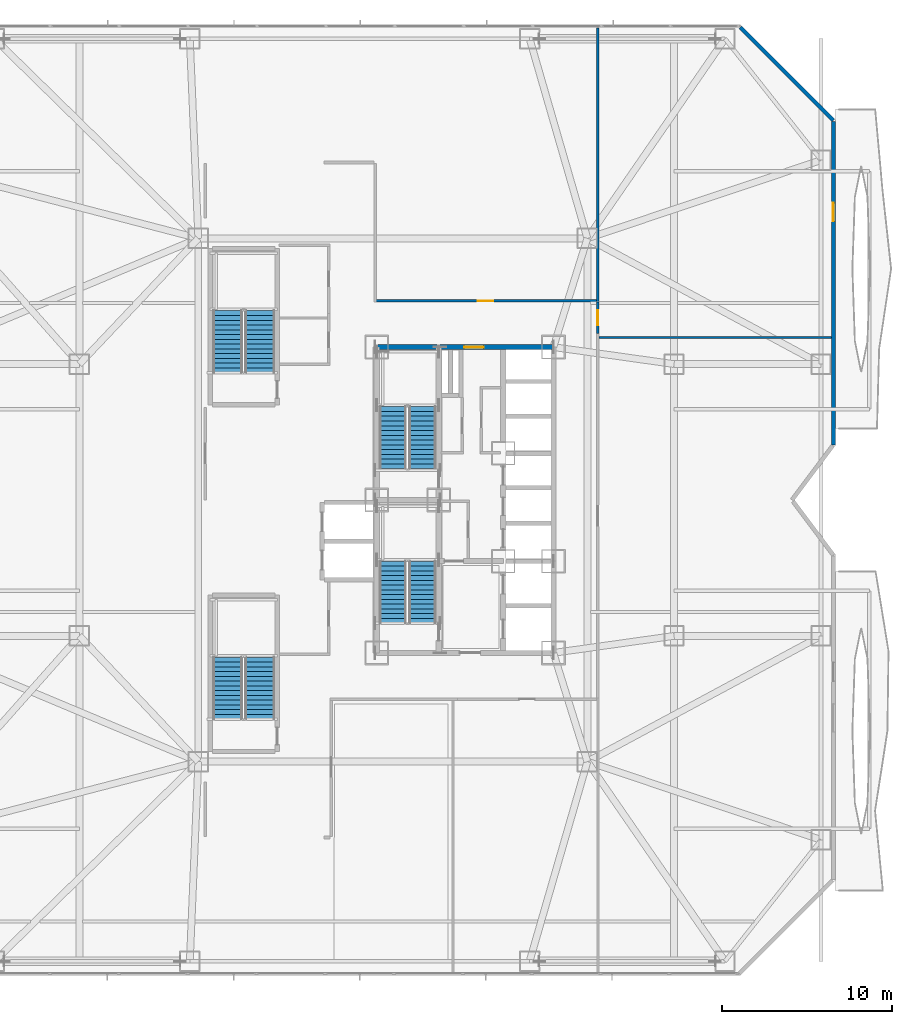
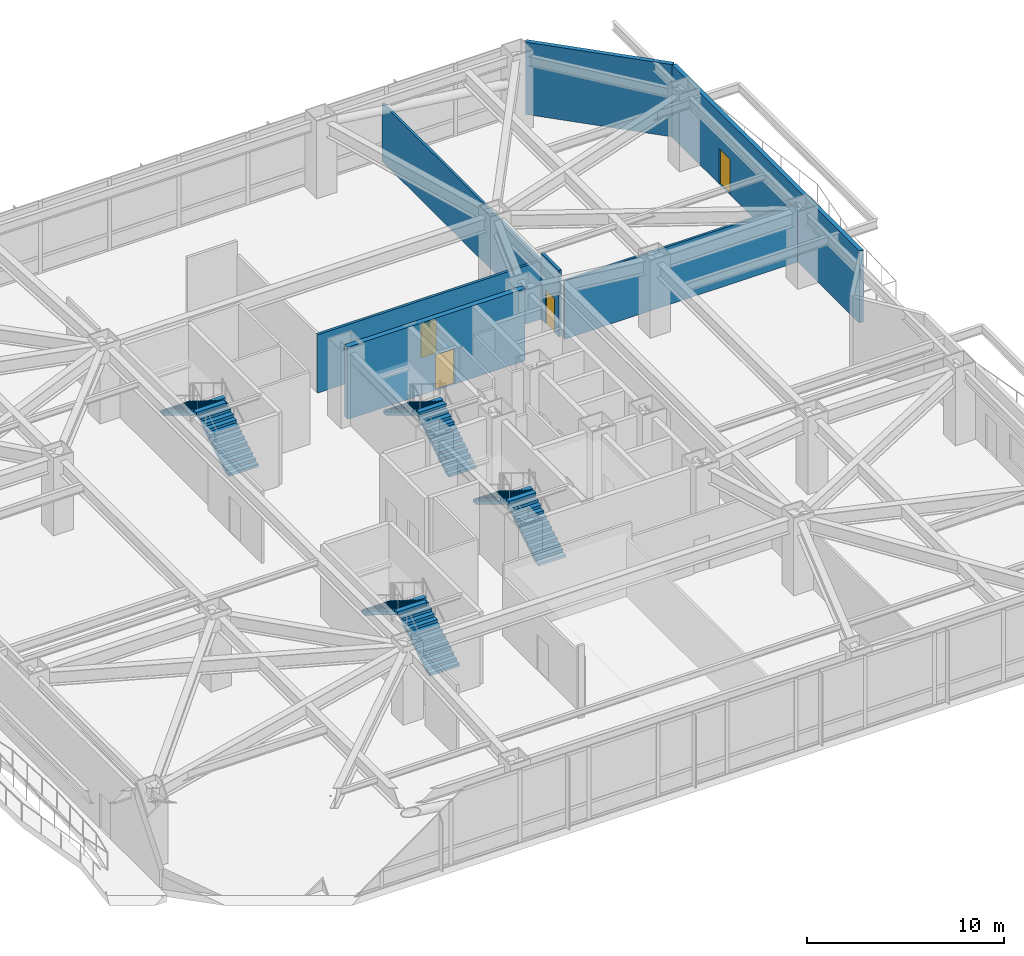
# One storey, part 25 of 33: 8 stair flights, 7 walls, 4 doors, 4 openings, 4 elements without a shape of their own.
"""IFC4 building model written with IfcOpenShell, lengths in metres."""

from ifc_helpers import new_model, si_unit, direction, frame, frame_2d, origin, place, context, subcontext, project, spatial, polyline, rectangle, outline, extrude, material, layer, layer_set, type_object, element, fill, aggregate, save


model = new_model("IFC4")

# Units and contexts
model_context = context("Model", 3, precision=1e-05, world=origin(), true_north=direction((0.0, 1.0)))
body_context = subcontext(model_context, "Body", "Model", "MODEL_VIEW")
ifc_project = project(units=[si_unit("LENGTHUNIT", "METRE"), si_unit("AREAUNIT", "SQUARE_METRE"), si_unit("VOLUMEUNIT", "CUBIC_METRE"), si_unit("PLANEANGLEUNIT", "RADIAN"), si_unit("MASSUNIT", "GRAM", prefix="KILO")], contexts=[model_context])

# Site, building, storey
site_placement = place(None, origin())
site = spatial("IfcSite", under=ifc_project, at=site_placement, CompositionType="ELEMENT")
building_placement = place(site_placement, origin())
building = spatial("IfcBuilding", under=site, at=building_placement, Name="Khamvora Tower", CompositionType="ELEMENT")
storey_placement = place(building_placement, frame((0.0, 0.0, 7.199951171875)))
storey = spatial("IfcBuildingStorey", under=building, at=storey_placement, Name="L01", CompositionType="ELEMENT", Elevation=7.199951171875)

# Wall, opening, door
ifc_material_1 = material(Name="Concrete C50/60", Category="concrete")
ifc_layer_1 = layer(ifc_material_1, 0.300048828125)
ifc_layer_set_1 = layer_set([ifc_layer_1], Name="Concrete C50/60")
wall_type_1 = type_object("IfcWallType", Name="WAL-CORE-300", PredefinedType="SHEAR", material=ifc_layer_set_1)
wall_1_placement = place(storey_placement, frame((29.0, 37.0, 0.0), z_axis=(0.0, 0.0, 1.0), x_axis=(1.0, 0.0, 0.0)))
wall_1 = element("IfcWall", 1, at=wall_1_placement, inside=storey, type_object=wall_type_1, Name="L01 central core north wall", PredefinedType="SHEAR", context=body_context, shape_type="SweptSolid", body=[
    extrude(rectangle(XDim=10.39990234375, YDim=0.300048828125, at=frame_2d((5.199951171875, 0.0))), origin(), (0.0, 0.0, 1.0), 4.47998046875),
])
opening_1_placement = place(wall_1_placement, frame((5.139892578125, 0.0, 0.0)))
opening_1 = element("IfcOpeningElement", 2, at=opening_1_placement, cuts=wall_1, Name="Opening D-SC1", PredefinedType="OPENING", context=body_context, shape_type="SweptSolid", body=[
    extrude(rectangle(XDim=1.14990234375, YDim=2.199951171875, at=frame_2d((0.574951171875, 1.10009765625))), frame((0.0, 0.159912109375, 0.0), z_axis=(0.0, -1.0, 0.0), x_axis=(1.0, 0.0, 0.0)), (0.0, 0.0, 1.0), 0.320068359375),
])
ifc_material_2 = material(Name="Powder-Coated Steel and Hardwood Leaf", Category="steel")
door_type_1 = type_object("IfcDoorType", Name="DOR-SCHL-1150", OperationType="NOTDEFINED", PredefinedType="DOOR", material=ifc_material_2)
door_1_placement = place(opening_1_placement, origin())
door_1 = element("IfcDoor", 3, at=door_1_placement, inside=storey, type_object=door_type_1, Name="L01 north core lobby to corridor fire door", OperationType="SINGLE_SWING_RIGHT", OverallHeight=2.199951171875, OverallWidth=1.14990234375, PredefinedType="DOOR", context=body_context, shape_type="SweptSolid", body=[
    extrude(rectangle(XDim=1.14990234375, YDim=2.199951171875, at=frame_2d((0.574951171875, 1.10009765625))), frame((0.0, 0.02490234375, 0.0), z_axis=(0.0, -1.0, 0.0), x_axis=(1.0, 0.0, 0.0)), (0.0, 0.0, 1.0), 0.050048828125),
])
fill(opening_1, door_1)

ifc_material_3 = material(Name="Fire-Rated Drywall and Steel Stud", Category="steel")
ifc_layer_2 = layer(ifc_material_3, 0.14990234375)
ifc_layer_set_2 = layer_set([ifc_layer_2], Name="Fire-Rated Drywall and Steel Stud")
wall_type_2 = type_object("IfcWallType", Name="WAL-CORR-150", PredefinedType="STANDARD", material=ifc_layer_set_2)
wall_2_placement = place(storey_placement, frame((42.014892578125, 39.64990234375, 0.0), z_axis=(0.0, 0.0, 1.0), x_axis=(0.0, -1.0, 0.0)))
wall_2 = element("IfcWall", 4, at=wall_2_placement, inside=storey, type_object=wall_type_2, Name="L01 interior partition wall 018", PredefinedType="STANDARD", context=body_context, shape_type="SweptSolid", body=[
    extrude(rectangle(XDim=1.8359375, YDim=0.14990234375, at=frame_2d((0.91796875, 0.0))), origin(), (0.0, 0.0, 1.0), 4.114990234375),
])
opening_2_placement = place(wall_2_placement, frame((0.468017578125, 0.0, 0.0)))
opening_2 = element("IfcOpeningElement", 5, at=opening_2_placement, cuts=wall_2, Name="Opening D-RM1", PredefinedType="OPENING", context=body_context, shape_type="SweptSolid", body=[
    extrude(rectangle(XDim=0.89990234375, YDim=2.10009765625, at=frame_2d((0.449951171875, 1.050048828125))), frame((0.0, 0.0849609375, 0.0), z_axis=(0.0, -1.0, 0.0), x_axis=(1.0, 0.0, 0.0)), (0.0, 0.0, 1.0), 0.169921875),
])
door_type_2 = type_object("IfcDoorType", Name="DOR-ROOM-900", OperationType="NOTDEFINED", PredefinedType="DOOR", material=ifc_material_2)
door_2_placement = place(opening_2_placement, origin())
door_2 = element("IfcDoor", 6, at=door_2_placement, inside=storey, type_object=door_type_2, Name="L01 interior door SCOR-KIT", OperationType="SINGLE_SWING_LEFT", OverallHeight=2.10009765625, OverallWidth=0.89990234375, PredefinedType="DOOR", context=body_context, shape_type="SweptSolid", body=[
    extrude(rectangle(XDim=0.89990234375, YDim=2.10009765625, at=frame_2d((0.449951171875, 1.050048828125))), frame((0.0, 0.02490234375, 0.0), z_axis=(0.0, -1.0, 0.0), x_axis=(1.0, 0.0, 0.0)), (0.0, 0.0, 1.0), 0.050048828125),
])
fill(opening_2, door_2)

wall_3_placement = place(storey_placement, frame((28.85205078125, 39.715087890625, 0.0), z_axis=(0.0, 0.0, 1.0), x_axis=(1.0, 0.0, 0.0)))
wall_3 = element("IfcWall", 7, at=wall_3_placement, inside=storey, type_object=wall_type_2, Name="L01 interior partition wall 025", PredefinedType="STANDARD", context=body_context, shape_type="SweptSolid", body=[
    extrude(rectangle(XDim=13.097900390625, YDim=0.14990234375, at=frame_2d((6.548828125, 0.0))), origin(), (0.0, 0.0, 1.0), 3.614990234375),
])
opening_3_placement = place(wall_3_placement, frame((6.09912109375, 0.0, 0.0)))
opening_3 = element("IfcOpeningElement", 8, at=opening_3_placement, cuts=wall_3, Name="Opening D-RM1", PredefinedType="OPENING", context=body_context, shape_type="SweptSolid", body=[
    extrude(rectangle(XDim=0.89990234375, YDim=2.10009765625, at=frame_2d((0.449951171875, 1.050048828125))), frame((0.0, 0.0849609375, 0.0), z_axis=(0.0, -1.0, 0.0), x_axis=(1.0, 0.0, 0.0)), (0.0, 0.0, 1.0), 0.169921875),
])
door_3_placement = place(opening_3_placement, origin())
door_3 = element("IfcDoor", 9, at=door_3_placement, inside=storey, type_object=door_type_2, Name="L01 interior door SCOR-NUR", OperationType="SINGLE_SWING_RIGHT", OverallHeight=2.10009765625, OverallWidth=0.89990234375, PredefinedType="DOOR", context=body_context, shape_type="SweptSolid", body=[
    extrude(rectangle(XDim=0.89990234375, YDim=2.10009765625, at=frame_2d((0.449951171875, 1.050048828125))), frame((0.0, 0.02490234375, 0.0), z_axis=(0.0, -1.0, 0.0), x_axis=(1.0, 0.0, 0.0)), (0.0, 0.0, 1.0), 0.050048828125),
])
fill(opening_3, door_3)

# Wall
ifc_material_4 = material(Name="Precast concrete C40/50", Category="concrete")
ifc_layer_3 = layer(ifc_material_4, 0.239990234375)
ifc_layer_set_3 = layer_set([ifc_layer_3], Name="Precast concrete C40/50")
wall_type_3 = type_object("IfcWallType", Name="WAL-EXT-240", PredefinedType="STANDARD", material=ifc_layer_set_3)
wall_4_placement = place(storey_placement, frame((50.405029296875, 55.824951171875, 0.0), z_axis=(0.0, 0.0, 1.0), x_axis=(0.707106781187, -0.707106781187, 0.0)))
element("IfcWall", 10, at=wall_4_placement, inside=storey, type_object=wall_type_3, Name="L01 exterior facade wall 08.1", PredefinedType="STANDARD", context=body_context, shape_type="SweptSolid", body=[
    extrude(rectangle(XDim=7.74267578125, YDim=0.239990234375, at=frame_2d((3.871337890625, 0.0))), origin(), (0.0, 0.0, 1.0), 4.47998046875),
])

# Wall, opening, door
wall_5_placement = place(storey_placement, frame((55.8798828125, 50.27197265625, 0.0), z_axis=(0.0, 0.0, 1.0), x_axis=(0.0, -1.0, 0.0)))
wall_5 = element("IfcWall", 11, at=wall_5_placement, inside=storey, type_object=wall_type_3, Name="L01 exterior facade wall 09.1", PredefinedType="STANDARD", context=body_context, shape_type="SweptSolid", body=[
    extrude(rectangle(XDim=19.031982421875, YDim=0.239990234375, at=frame_2d((9.51611328125, 0.0))), origin(), (0.0, 0.0, 1.0), 4.47998046875),
])
opening_4_placement = place(wall_5_placement, frame((4.778076171875, 0.0, 0.0)))
opening_4 = element("IfcOpeningElement", 12, at=opening_4_placement, cuts=wall_5, Name="Opening BD-01", PredefinedType="OPENING", context=body_context, shape_type="SweptSolid", body=[
    extrude(rectangle(XDim=1.10009765625, YDim=2.199951171875, at=frame_2d((0.550048828125, 1.10009765625))), frame((0.0, 0.1298828125, 0.0), z_axis=(0.0, -1.0, 0.0), x_axis=(1.0, 0.0, 0.0)), (0.0, 0.0, 1.0), 0.260009765625),
])
ifc_material_5 = material(Name="Anodised Aluminium and Laminated Safety Glass", Category="aluminium")
door_type_3 = type_object("IfcDoorType", Name="DOR-BAL-1100", OperationType="NOTDEFINED", PredefinedType="DOOR", material=ifc_material_5)
door_4_placement = place(opening_4_placement, origin())
door_4 = element("IfcDoor", 13, at=door_4_placement, inside=storey, type_object=door_type_3, Name="L01 lens gallery balcony door EL2", OperationType="SLIDING_TO_LEFT", OverallHeight=2.199951171875, OverallWidth=1.10009765625, PredefinedType="DOOR", context=body_context, shape_type="SweptSolid", body=[
    extrude(rectangle(XDim=1.10009765625, YDim=2.199951171875, at=frame_2d((0.550048828125, 1.10009765625))), frame((0.0, 0.02490234375, 0.0), z_axis=(0.0, -1.0, 0.0), x_axis=(1.0, 0.0, 0.0)), (0.0, 0.0, 1.0), 0.050048828125),
])
fill(opening_4, door_4)

# Walls
ifc_material_6 = material(Name="Moisture-Resistant Plasterboard Partition", Category="gypsum")
ifc_layer_4 = layer(ifc_material_6, 0.135009765625)
ifc_layer_set_4 = layer_set([ifc_layer_4], Name="Moisture-Resistant Plasterboard Partition")
wall_type_4 = type_object("IfcWallType", Name="WAL-WET-135", PredefinedType="PARTITIONING", material=ifc_layer_set_4)
wall_6_placement = place(storey_placement, frame((42.08203125, 37.56494140625, 0.0), z_axis=(0.0, 0.0, 1.0), x_axis=(1.0, 0.0, 0.0)))
element("IfcWall", 14, at=wall_6_placement, inside=storey, type_object=wall_type_4, Name="L01 interior partition wall 027", PredefinedType="PARTITIONING", context=body_context, shape_type="SweptSolid", body=[
    extrude(rectangle(XDim=13.68603515625, YDim=0.135009765625, at=frame_2d((6.843017578125, 0.0))), origin(), (0.0, 0.0, 1.0), 3.614990234375),
])
wall_7_placement = place(storey_placement, frame((42.014892578125, 39.64990234375, 0.0), z_axis=(0.0, 0.0, 1.0), x_axis=(0.0, 1.0, 0.0)))
element("IfcWall", 15, at=wall_7_placement, inside=storey, type_object=wall_type_4, Name="L01 interior partition wall 029", PredefinedType="PARTITIONING", context=body_context, shape_type="SweptSolid", body=[
    extrude(rectangle(XDim=16.128173828125, YDim=0.135009765625, at=frame_2d((8.06396484375, 0.0))), origin(), (0.0, 0.0, 1.0), 3.614990234375),
])

# Stair, stair flights
ifc_material_7 = material(Name="Concrete C40/50", Category="concrete")
stair_type_1 = type_object("IfcStairType", Name="STR-ST-01", PredefinedType="HALF_TURN_STAIR", material=ifc_material_7)
stair_1_placement = place(storey_placement, origin())
stair_1 = element("IfcStair", 16, at=stair_1_placement, inside=storey, type_object=stair_type_1, Name="L01 South Tower Exit Stair ST-01", PredefinedType="HALF_TURN_STAIR")
stair_flight_type_1 = type_object("IfcStairFlightType", Name="STF-ST-01", PredefinedType="STRAIGHT", material=ifc_material_7)
stair_flight_1_placement = place(storey_placement, frame((31.699951171875, 20.75, 0.0), z_axis=(0.0, 0.0, 1.0), x_axis=(0.0, 1.0, 0.0)))
stair_flight_1 = element("IfcStairFlight", 17, at=stair_flight_1_placement, type_object=stair_flight_type_1, Name="ST-01 flight 1", NumberOfRisers=14, NumberOfTreads=13, PredefinedType="STRAIGHT", RiserHeight=0.171428571, TreadLength=0.28, context=body_context, shape_type="SweptSolid", body=[
    extrude(outline(polyline([(0.0, 0.0), (0.0, 0.17138671875), (0.280029296875, 0.17138671875), (0.280029296875, 0.3427734375), (0.56005859375, 0.3427734375), (0.56005859375, 0.514404296875), (0.840087890625, 0.514404296875), (0.840087890625, 0.685791015625), (1.1201171875, 0.685791015625), (1.1201171875, 0.857177734375), (1.39990234375, 0.857177734375), (1.39990234375, 1.028564453125), (1.679931640625, 1.028564453125), (1.679931640625, 1.199951171875), (1.9599609375, 1.199951171875), (1.9599609375, 1.371337890625), (2.239990234375, 1.371337890625), (2.239990234375, 1.54296875), (2.52001953125, 1.54296875), (2.52001953125, 1.71435546875), (2.800048828125, 1.71435546875), (2.800048828125, 1.8857421875), (3.080078125, 1.8857421875), (3.080078125, 2.05712890625), (3.360107421875, 2.05712890625), (3.360107421875, 2.228515625), (3.639892578125, 2.228515625), (3.639892578125, 2.39990234375), (3.639892578125, 2.052734375), (0.287109375, 0.0), (0.0, 0.0)])), frame((0.0, 0.800048828125, 0.0), z_axis=(0.0, -1.0, 0.0), x_axis=(1.0, 0.0, 0.0)), (0.0, 0.0, 1.0), 1.60009765625),
])
stair_flight_2_placement = place(storey_placement, frame((29.949951171875, 24.389892578125, 2.400146484375), z_axis=(0.0, 0.0, 1.0), x_axis=(0.0, -1.0, 0.0)))
stair_flight_2 = element("IfcStairFlight", 18, at=stair_flight_2_placement, type_object=stair_flight_type_1, Name="ST-01 flight 2", NumberOfRisers=14, NumberOfTreads=13, PredefinedType="STRAIGHT", RiserHeight=0.171428571, TreadLength=0.28, context=body_context, shape_type="SweptSolid", body=[
    extrude(outline(polyline([(0.0, 0.0), (0.0, 0.17138671875), (0.280029296875, 0.17138671875), (0.280029296875, 0.3427734375), (0.56005859375, 0.3427734375), (0.56005859375, 0.514404296875), (0.840087890625, 0.514404296875), (0.840087890625, 0.685791015625), (1.1201171875, 0.685791015625), (1.1201171875, 0.857177734375), (1.39990234375, 0.857177734375), (1.39990234375, 1.028564453125), (1.679931640625, 1.028564453125), (1.679931640625, 1.199951171875), (1.9599609375, 1.199951171875), (1.9599609375, 1.371337890625), (2.239990234375, 1.371337890625), (2.239990234375, 1.54296875), (2.52001953125, 1.54296875), (2.52001953125, 1.71435546875), (2.800048828125, 1.71435546875), (2.800048828125, 1.8857421875), (3.080078125, 1.8857421875), (3.080078125, 2.05712890625), (3.360107421875, 2.05712890625), (3.360107421875, 2.228515625), (3.639892578125, 2.228515625), (3.639892578125, 2.39990234375), (3.639892578125, 2.052734375), (0.287109375, 0.0), (0.0, 0.0)])), frame((0.0, 0.800048828125, 0.0), z_axis=(0.0, -1.0, 0.0), x_axis=(1.0, 0.0, 0.0)), (0.0, 0.0, 1.0), 1.60009765625),
])
aggregate(stair_1, [stair_flight_1, stair_flight_2])

stair_type_2 = type_object("IfcStairType", Name="STR-ST-02", PredefinedType="HALF_TURN_STAIR", material=ifc_material_7)
stair_2_placement = place(storey_placement, origin())
stair_2 = element("IfcStair", 19, at=stair_2_placement, inside=storey, type_object=stair_type_2, Name="L01 North Tower Exit Stair ST-02", PredefinedType="HALF_TURN_STAIR")
stair_flight_type_2 = type_object("IfcStairFlightType", Name="STF-ST-02", PredefinedType="STRAIGHT", material=ifc_material_7)
stair_flight_3_placement = place(storey_placement, frame((31.699951171875, 29.85009765625, 0.0), z_axis=(0.0, 0.0, 1.0), x_axis=(0.0, 1.0, 0.0)))
stair_flight_3 = element("IfcStairFlight", 20, at=stair_flight_3_placement, type_object=stair_flight_type_2, Name="ST-02 flight 1", NumberOfRisers=14, NumberOfTreads=13, PredefinedType="STRAIGHT", RiserHeight=0.171428571, TreadLength=0.28, context=body_context, shape_type="SweptSolid", body=[
    extrude(outline(polyline([(0.0, 0.0), (0.0, 0.17138671875), (0.280029296875, 0.17138671875), (0.280029296875, 0.3427734375), (0.56005859375, 0.3427734375), (0.56005859375, 0.514404296875), (0.840087890625, 0.514404296875), (0.840087890625, 0.685791015625), (1.1201171875, 0.685791015625), (1.1201171875, 0.857177734375), (1.39990234375, 0.857177734375), (1.39990234375, 1.028564453125), (1.679931640625, 1.028564453125), (1.679931640625, 1.199951171875), (1.9599609375, 1.199951171875), (1.9599609375, 1.371337890625), (2.239990234375, 1.371337890625), (2.239990234375, 1.54296875), (2.52001953125, 1.54296875), (2.52001953125, 1.71435546875), (2.800048828125, 1.71435546875), (2.800048828125, 1.8857421875), (3.080078125, 1.8857421875), (3.080078125, 2.05712890625), (3.360107421875, 2.05712890625), (3.360107421875, 2.228515625), (3.639892578125, 2.228515625), (3.639892578125, 2.39990234375), (3.639892578125, 2.052734375), (0.287109375, 0.0), (0.0, 0.0)])), frame((0.0, 0.800048828125, 0.0), z_axis=(0.0, -1.0, 0.0), x_axis=(1.0, 0.0, 0.0)), (0.0, 0.0, 1.0), 1.60009765625),
])
stair_flight_4_placement = place(storey_placement, frame((29.949951171875, 33.489990234375, 2.400146484375), z_axis=(0.0, 0.0, 1.0), x_axis=(0.0, -1.0, 0.0)))
stair_flight_4 = element("IfcStairFlight", 21, at=stair_flight_4_placement, type_object=stair_flight_type_2, Name="ST-02 flight 2", NumberOfRisers=14, NumberOfTreads=13, PredefinedType="STRAIGHT", RiserHeight=0.171428571, TreadLength=0.28, context=body_context, shape_type="SweptSolid", body=[
    extrude(outline(polyline([(0.0, 0.0), (0.0, 0.17138671875), (0.280029296875, 0.17138671875), (0.280029296875, 0.3427734375), (0.56005859375, 0.3427734375), (0.56005859375, 0.514404296875), (0.840087890625, 0.514404296875), (0.840087890625, 0.685791015625), (1.1201171875, 0.685791015625), (1.1201171875, 0.857177734375), (1.39990234375, 0.857177734375), (1.39990234375, 1.028564453125), (1.679931640625, 1.028564453125), (1.679931640625, 1.199951171875), (1.9599609375, 1.199951171875), (1.9599609375, 1.371337890625), (2.239990234375, 1.371337890625), (2.239990234375, 1.54296875), (2.52001953125, 1.54296875), (2.52001953125, 1.71435546875), (2.800048828125, 1.71435546875), (2.800048828125, 1.8857421875), (3.080078125, 1.8857421875), (3.080078125, 2.05712890625), (3.360107421875, 2.05712890625), (3.360107421875, 2.228515625), (3.639892578125, 2.228515625), (3.639892578125, 2.39990234375), (3.639892578125, 2.052734375), (0.287109375, 0.0), (0.0, 0.0)])), frame((0.0, 0.800048828125, 0.0), z_axis=(0.0, -1.0, 0.0), x_axis=(1.0, 0.0, 0.0)), (0.0, 0.0, 1.0), 1.60009765625),
])
aggregate(stair_2, [stair_flight_3, stair_flight_4])

stair_type_3 = type_object("IfcStairType", Name="STR-ST-03", PredefinedType="HALF_TURN_STAIR", material=ifc_material_7)
stair_3_placement = place(storey_placement, origin())
stair_3 = element("IfcStair", 22, at=stair_3_placement, inside=storey, type_object=stair_type_3, Name="L01 South School Podium Stair ST-03", PredefinedType="HALF_TURN_STAIR")
stair_flight_type_3 = type_object("IfcStairFlightType", Name="STF-ST-03", PredefinedType="STRAIGHT", material=ifc_material_7)
stair_flight_5_placement = place(storey_placement, frame((22.125, 15.10009765625, 0.0), z_axis=(0.0, 0.0, 1.0), x_axis=(0.0, 1.0, 0.0)))
stair_flight_5 = element("IfcStairFlight", 23, at=stair_flight_5_placement, type_object=stair_flight_type_3, Name="ST-03 flight 1", NumberOfRisers=14, NumberOfTreads=13, PredefinedType="STRAIGHT", RiserHeight=0.171428571, TreadLength=0.28, context=body_context, shape_type="SweptSolid", body=[
    extrude(outline(polyline([(0.0, 0.0), (0.0, 0.17138671875), (0.280029296875, 0.17138671875), (0.280029296875, 0.3427734375), (0.56005859375, 0.3427734375), (0.56005859375, 0.514404296875), (0.840087890625, 0.514404296875), (0.840087890625, 0.685791015625), (1.1201171875, 0.685791015625), (1.1201171875, 0.857177734375), (1.39990234375, 0.857177734375), (1.39990234375, 1.028564453125), (1.679931640625, 1.028564453125), (1.679931640625, 1.199951171875), (1.9599609375, 1.199951171875), (1.9599609375, 1.371337890625), (2.239990234375, 1.371337890625), (2.239990234375, 1.54296875), (2.52001953125, 1.54296875), (2.52001953125, 1.71435546875), (2.800048828125, 1.71435546875), (2.800048828125, 1.8857421875), (3.080078125, 1.8857421875), (3.080078125, 2.05712890625), (3.360107421875, 2.05712890625), (3.360107421875, 2.228515625), (3.639892578125, 2.228515625), (3.639892578125, 2.39990234375), (3.639892578125, 2.052734375), (0.287109375, 0.0), (0.0, 0.0)])), frame((0.0, 0.875, 0.0), z_axis=(0.0, -1.0, 0.0), x_axis=(1.0, 0.0, 0.0)), (0.0, 0.0, 1.0), 1.75),
])
stair_flight_6_placement = place(storey_placement, frame((20.22509765625, 18.739990234375, 2.400146484375), z_axis=(0.0, 0.0, 1.0), x_axis=(0.0, -1.0, 0.0)))
stair_flight_6 = element("IfcStairFlight", 24, at=stair_flight_6_placement, type_object=stair_flight_type_3, Name="ST-03 flight 2", NumberOfRisers=14, NumberOfTreads=13, PredefinedType="STRAIGHT", RiserHeight=0.171428571, TreadLength=0.28, context=body_context, shape_type="SweptSolid", body=[
    extrude(outline(polyline([(0.0, 0.0), (0.0, 0.17138671875), (0.280029296875, 0.17138671875), (0.280029296875, 0.3427734375), (0.56005859375, 0.3427734375), (0.56005859375, 0.514404296875), (0.840087890625, 0.514404296875), (0.840087890625, 0.685791015625), (1.1201171875, 0.685791015625), (1.1201171875, 0.857177734375), (1.39990234375, 0.857177734375), (1.39990234375, 1.028564453125), (1.679931640625, 1.028564453125), (1.679931640625, 1.199951171875), (1.9599609375, 1.199951171875), (1.9599609375, 1.371337890625), (2.239990234375, 1.371337890625), (2.239990234375, 1.54296875), (2.52001953125, 1.54296875), (2.52001953125, 1.71435546875), (2.800048828125, 1.71435546875), (2.800048828125, 1.8857421875), (3.080078125, 1.8857421875), (3.080078125, 2.05712890625), (3.360107421875, 2.05712890625), (3.360107421875, 2.228515625), (3.639892578125, 2.228515625), (3.639892578125, 2.39990234375), (3.639892578125, 2.052734375), (0.287109375, 0.0), (0.0, 0.0)])), frame((0.0, 0.875, 0.0), z_axis=(0.0, -1.0, 0.0), x_axis=(1.0, 0.0, 0.0)), (0.0, 0.0, 1.0), 1.75),
])
aggregate(stair_3, [stair_flight_5, stair_flight_6])

stair_type_4 = type_object("IfcStairType", Name="STR-ST-04", PredefinedType="HALF_TURN_STAIR", material=ifc_material_7)
stair_4_placement = place(storey_placement, origin())
stair_4 = element("IfcStair", 25, at=stair_4_placement, inside=storey, type_object=stair_type_4, Name="L01 North School Podium Stair ST-04", PredefinedType="HALF_TURN_STAIR")
stair_flight_type_4 = type_object("IfcStairFlightType", Name="STF-ST-04", PredefinedType="STRAIGHT", material=ifc_material_7)
stair_flight_7_placement = place(storey_placement, frame((22.125, 35.5, 0.0), z_axis=(0.0, 0.0, 1.0), x_axis=(0.0, 1.0, 0.0)))
stair_flight_7 = element("IfcStairFlight", 26, at=stair_flight_7_placement, type_object=stair_flight_type_4, Name="ST-04 flight 1", NumberOfRisers=14, NumberOfTreads=13, PredefinedType="STRAIGHT", RiserHeight=0.171428571, TreadLength=0.28, context=body_context, shape_type="SweptSolid", body=[
    extrude(outline(polyline([(0.0, 0.0), (0.0, 0.17138671875), (0.280029296875, 0.17138671875), (0.280029296875, 0.3427734375), (0.56005859375, 0.3427734375), (0.56005859375, 0.514404296875), (0.840087890625, 0.514404296875), (0.840087890625, 0.685791015625), (1.1201171875, 0.685791015625), (1.1201171875, 0.857177734375), (1.39990234375, 0.857177734375), (1.39990234375, 1.028564453125), (1.679931640625, 1.028564453125), (1.679931640625, 1.199951171875), (1.9599609375, 1.199951171875), (1.9599609375, 1.371337890625), (2.239990234375, 1.371337890625), (2.239990234375, 1.54296875), (2.52001953125, 1.54296875), (2.52001953125, 1.71435546875), (2.800048828125, 1.71435546875), (2.800048828125, 1.8857421875), (3.080078125, 1.8857421875), (3.080078125, 2.05712890625), (3.360107421875, 2.05712890625), (3.360107421875, 2.228515625), (3.639892578125, 2.228515625), (3.639892578125, 2.39990234375), (3.639892578125, 2.052734375), (0.287109375, 0.0), (0.0, 0.0)])), frame((0.0, 0.875, 0.0), z_axis=(0.0, -1.0, 0.0), x_axis=(1.0, 0.0, 0.0)), (0.0, 0.0, 1.0), 1.75),
])
stair_flight_8_placement = place(storey_placement, frame((20.22509765625, 39.139892578125, 2.400146484375), z_axis=(0.0, 0.0, 1.0), x_axis=(0.0, -1.0, 0.0)))
stair_flight_8 = element("IfcStairFlight", 27, at=stair_flight_8_placement, type_object=stair_flight_type_4, Name="ST-04 flight 2", NumberOfRisers=14, NumberOfTreads=13, PredefinedType="STRAIGHT", RiserHeight=0.171428571, TreadLength=0.28, context=body_context, shape_type="SweptSolid", body=[
    extrude(outline(polyline([(0.0, 0.0), (0.0, 0.17138671875), (0.280029296875, 0.17138671875), (0.280029296875, 0.3427734375), (0.56005859375, 0.3427734375), (0.56005859375, 0.514404296875), (0.840087890625, 0.514404296875), (0.840087890625, 0.685791015625), (1.1201171875, 0.685791015625), (1.1201171875, 0.857177734375), (1.39990234375, 0.857177734375), (1.39990234375, 1.028564453125), (1.679931640625, 1.028564453125), (1.679931640625, 1.199951171875), (1.9599609375, 1.199951171875), (1.9599609375, 1.371337890625), (2.239990234375, 1.371337890625), (2.239990234375, 1.54296875), (2.52001953125, 1.54296875), (2.52001953125, 1.71435546875), (2.800048828125, 1.71435546875), (2.800048828125, 1.8857421875), (3.080078125, 1.8857421875), (3.080078125, 2.05712890625), (3.360107421875, 2.05712890625), (3.360107421875, 2.228515625), (3.639892578125, 2.228515625), (3.639892578125, 2.39990234375), (3.639892578125, 2.052734375), (0.287109375, 0.0), (0.0, 0.0)])), frame((0.0, 0.875, 0.0), z_axis=(0.0, -1.0, 0.0), x_axis=(1.0, 0.0, 0.0)), (0.0, 0.0, 1.0), 1.75),
])
aggregate(stair_4, [stair_flight_7, stair_flight_8])

save(model, "model.ifc")
